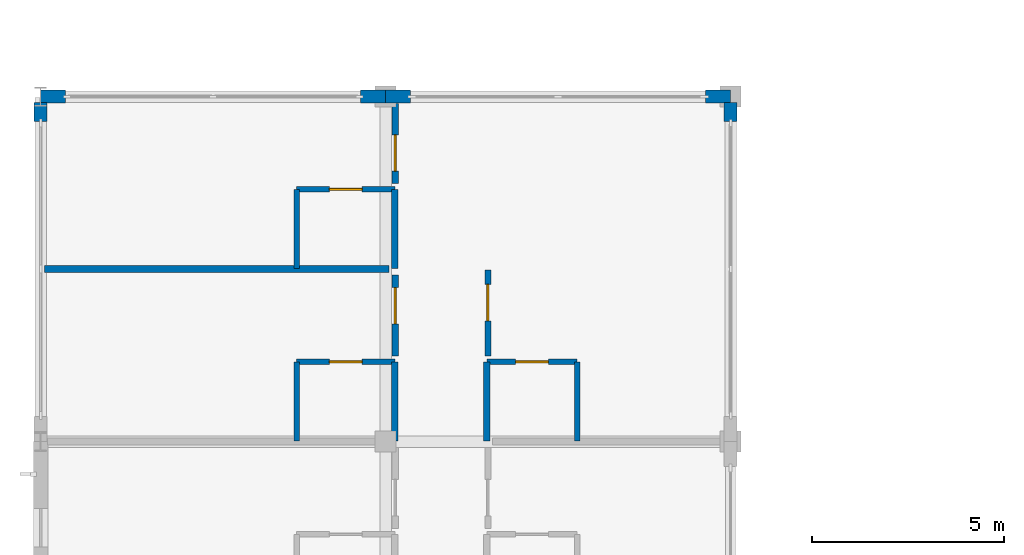
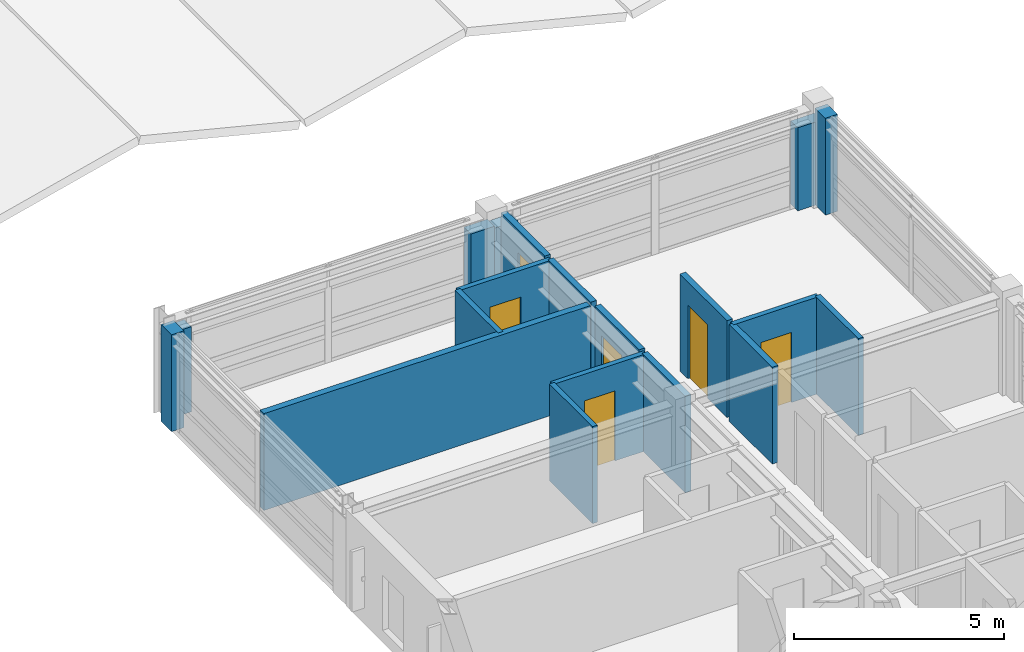
# One storey, part 25 of 37: 19 walls, 6 doors, 6 openings.
"""IFC4 building model written with IfcOpenShell, lengths in metres."""

from ifc_helpers import new_model, si_unit, direction, frame, frame_2d, origin, place, context, subcontext, project, spatial, rectangle, extrude, material, layer, layer_set, type_object, element, fill, save


model = new_model("IFC4")

# Units and contexts
model_context = context("Model", 3, precision=1e-05, world=origin(), true_north=direction((0.0, 1.0)))
body_context = subcontext(model_context, "Body", "Model", "MODEL_VIEW")
ifc_project = project(units=[si_unit("LENGTHUNIT", "METRE"), si_unit("AREAUNIT", "SQUARE_METRE"), si_unit("VOLUMEUNIT", "CUBIC_METRE"), si_unit("PLANEANGLEUNIT", "RADIAN"), si_unit("MASSUNIT", "GRAM", prefix="KILO")], contexts=[model_context])

# Site, building, storey
site_placement = place(None, origin())
site = spatial("IfcSite", under=ifc_project, at=site_placement, CompositionType="ELEMENT")
building_placement = place(site_placement, origin())
building = spatial("IfcBuilding", under=site, at=building_placement, Name="Palais des Congres Ocreval", CompositionType="ELEMENT")
storey_placement = place(building_placement, frame((0.0, 0.0, 11.52001953125)))
storey = spatial("IfcBuildingStorey", under=building, at=storey_placement, Name="L03", CompositionType="ELEMENT", Elevation=11.52001953125)

# Wall, opening, door
ifc_material_1 = material(Name="Moisture-resistant gypsum board")
ifc_layer_1 = layer(ifc_material_1, 0.139892578125)
ifc_layer_set_1 = layer_set([ifc_layer_1], Name="Bathroom Plumbing Chase Wall 140 Gypsum (Moisture-resistant gypsum board)")
wall_type_1 = type_object("IfcWallType", Name="Bathroom Plumbing Chase Wall 140 Gypsum", PredefinedType="PLUMBINGWALL", material=ifc_layer_set_1)
wall_1_placement = place(storey_placement, frame((6.679931640625, 65.080078125, 0.0), z_axis=(0.0, 0.0, 1.0), x_axis=(1.0, 0.0, 0.0)))
wall_1 = element("IfcWall", 1, at=wall_1_placement, inside=storey, type_object=wall_type_1, Name="Bathroom Plumbing Wall PW03 L03", PredefinedType="PLUMBINGWALL", context=body_context, shape_type="SweptSolid", body=[
    extrude(rectangle(XDim=2.56005859375, YDim=0.139892578125, at=frame_2d((1.280029296875, 0.0))), origin(), (0.0, 0.0, 1.0), 2.820068359375),
])
opening_1_placement = place(wall_1_placement, frame((0.85498046875, 0.0, 0.0)))
opening_1 = element("IfcOpeningElement", 2, at=opening_1_placement, cuts=wall_1, Name="Opening D08", PredefinedType="OPENING", context=body_context, shape_type="SweptSolid", body=[
    extrude(rectangle(XDim=0.85009765625, YDim=2.0400390625, at=frame_2d((0.425048828125, 1.02001953125))), frame((0.0, 0.079833984375, 0.0), z_axis=(0.0, -1.0, 0.0), x_axis=(1.0, 0.0, 0.0)), (0.0, 0.0, 1.0), 0.159912109375),
])
ifc_material_2 = material(Name="Solid French oak", Category="wood")
door_type_1 = type_object("IfcDoorType", Name="En-Suite Bathroom Door 850x2040", OperationType="NOTDEFINED", PredefinedType="DOOR", material=ifc_material_2)
door_1_placement = place(opening_1_placement, origin())
door_1 = element("IfcDoor", 3, at=door_1_placement, inside=storey, type_object=door_type_1, Name="En-Suite Bathroom Door D08 L03", OperationType="SINGLE_SWING_LEFT", OverallHeight=2.0400390625, OverallWidth=0.85009765625, PredefinedType="DOOR", context=body_context, shape_type="SweptSolid", body=[
    extrude(rectangle(XDim=0.85009765625, YDim=2.0400390625, at=frame_2d((0.425048828125, 1.02001953125))), frame((0.0, 0.02490234375, 0.0), z_axis=(0.0, -1.0, 0.0), x_axis=(1.0, 0.0, 0.0)), (0.0, 0.0, 1.0), 0.050048828125),
])
fill(opening_1, door_1)

# Wall
wall_2_placement = place(storey_placement, frame((6.679931640625, 63.02001953125, 0.0), z_axis=(0.0, 0.0, 1.0), x_axis=(0.0, 1.0, 0.0)))
element("IfcWall", 4, at=wall_2_placement, inside=storey, type_object=wall_type_1, Name="Bathroom Plumbing Wall PW03 L03", PredefinedType="PLUMBINGWALL", context=body_context, shape_type="SweptSolid", body=[
    extrude(rectangle(XDim=2.06005859375, YDim=0.139892578125, at=frame_2d((1.030029296875, 0.0))), origin(), (0.0, 0.0, 1.0), 2.820068359375),
])

# Wall, opening, door
wall_3_placement = place(storey_placement, frame((6.679931640625, 69.580078125, 0.0), z_axis=(0.0, 0.0, 1.0), x_axis=(1.0, 0.0, 0.0)))
wall_3 = element("IfcWall", 5, at=wall_3_placement, inside=storey, type_object=wall_type_1, Name="Bathroom Plumbing Wall PW03 L03", PredefinedType="PLUMBINGWALL", context=body_context, shape_type="SweptSolid", body=[
    extrude(rectangle(XDim=2.56005859375, YDim=0.139892578125, at=frame_2d((1.280029296875, 0.0))), origin(), (0.0, 0.0, 1.0), 2.820068359375),
])
opening_2_placement = place(wall_3_placement, frame((0.85498046875, 0.0, 0.0)))
opening_2 = element("IfcOpeningElement", 6, at=opening_2_placement, cuts=wall_3, Name="Opening D08", PredefinedType="OPENING", context=body_context, shape_type="SweptSolid", body=[
    extrude(rectangle(XDim=0.85009765625, YDim=2.0400390625, at=frame_2d((0.425048828125, 1.02001953125))), frame((0.0, 0.079833984375, 0.0), z_axis=(0.0, -1.0, 0.0), x_axis=(1.0, 0.0, 0.0)), (0.0, 0.0, 1.0), 0.159912109375),
])
door_2_placement = place(opening_2_placement, origin())
door_2 = element("IfcDoor", 7, at=door_2_placement, inside=storey, type_object=door_type_1, Name="En-Suite Bathroom Door D08 L03", OperationType="SINGLE_SWING_RIGHT", OverallHeight=2.0400390625, OverallWidth=0.85009765625, PredefinedType="DOOR", context=body_context, shape_type="SweptSolid", body=[
    extrude(rectangle(XDim=0.85009765625, YDim=2.0400390625, at=frame_2d((0.425048828125, 1.02001953125))), frame((0.0, 0.02490234375, 0.0), z_axis=(0.0, -1.0, 0.0), x_axis=(1.0, 0.0, 0.0)), (0.0, 0.0, 1.0), 0.050048828125),
])
fill(opening_2, door_2)

# Wall
wall_4_placement = place(storey_placement, frame((6.679931640625, 67.52001953125, 0.0), z_axis=(0.0, 0.0, 1.0), x_axis=(0.0, 1.0, 0.0)))
element("IfcWall", 8, at=wall_4_placement, inside=storey, type_object=wall_type_1, Name="Bathroom Plumbing Wall PW03 L03", PredefinedType="PLUMBINGWALL", context=body_context, shape_type="SweptSolid", body=[
    extrude(rectangle(XDim=2.06005859375, YDim=0.139892578125, at=frame_2d((1.030029296875, 0.0))), origin(), (0.0, 0.0, 1.0), 2.820068359375),
])

# Wall, opening, door
wall_5_placement = place(storey_placement, frame((11.639892578125, 65.080078125, 0.0), z_axis=(0.0, 0.0, 1.0), x_axis=(1.0, 0.0, 0.0)))
wall_5 = element("IfcWall", 9, at=wall_5_placement, inside=storey, type_object=wall_type_1, Name="Bathroom Plumbing Wall PW03 L03", PredefinedType="PLUMBINGWALL", context=body_context, shape_type="SweptSolid", body=[
    extrude(rectangle(XDim=2.360107421875, YDim=0.139892578125, at=frame_2d((1.18017578125, 0.0))), origin(), (0.0, 0.0, 1.0), 2.820068359375),
])
opening_3_placement = place(wall_5_placement, frame((0.7548828125, 0.0, 0.0)))
opening_3 = element("IfcOpeningElement", 10, at=opening_3_placement, cuts=wall_5, Name="Opening D08", PredefinedType="OPENING", context=body_context, shape_type="SweptSolid", body=[
    extrude(rectangle(XDim=0.85009765625, YDim=2.0400390625, at=frame_2d((0.425048828125, 1.02001953125))), frame((0.0, 0.079833984375, 0.0), z_axis=(0.0, -1.0, 0.0), x_axis=(1.0, 0.0, 0.0)), (0.0, 0.0, 1.0), 0.159912109375),
])
door_3_placement = place(opening_3_placement, origin())
door_3 = element("IfcDoor", 11, at=door_3_placement, inside=storey, type_object=door_type_1, Name="En-Suite Bathroom Door D08 L03", OperationType="SINGLE_SWING_LEFT", OverallHeight=2.0400390625, OverallWidth=0.85009765625, PredefinedType="DOOR", context=body_context, shape_type="SweptSolid", body=[
    extrude(rectangle(XDim=0.85009765625, YDim=2.0400390625, at=frame_2d((0.425048828125, 1.02001953125))), frame((0.0, 0.02490234375, 0.0), z_axis=(0.0, -1.0, 0.0), x_axis=(1.0, 0.0, 0.0)), (0.0, 0.0, 1.0), 0.050048828125),
])
fill(opening_3, door_3)

# Walls
wall_6_placement = place(storey_placement, frame((14.0, 63.02001953125, 0.0), z_axis=(0.0, 0.0, 1.0), x_axis=(0.0, 1.0, 0.0)))
element("IfcWall", 12, at=wall_6_placement, inside=storey, type_object=wall_type_1, Name="Bathroom Plumbing Wall PW03 L03", PredefinedType="PLUMBINGWALL", context=body_context, shape_type="SweptSolid", body=[
    extrude(rectangle(XDim=2.06005859375, YDim=0.139892578125, at=frame_2d((1.030029296875, 0.0))), origin(), (0.0, 0.0, 1.0), 2.820068359375),
])
ifc_material_3 = material(Name="Gypsum acoustic partition")
ifc_layer_2 = layer(ifc_material_3, 0.159912109375)
ifc_layer_set_2 = layer_set([ifc_layer_2], Name="Corridor Fire Partition 160 Gypsum (Gypsum acoustic partition)")
wall_type_2 = type_object("IfcWallType", Name="Corridor Fire Partition 160 Gypsum", PredefinedType="PARTITIONING", material=ifc_layer_set_2)
for number, where, z_axis, x_axis, name in (
    (13, (9.239990234375, 63.02001953125, 0.0), (0.0, 0.0, 1.0), (0.0, 1.0, 0.0), "Corridor Partition IW03 L03"),
    (14, (9.239990234375, 67.52001953125, 0.0), (0.0, 0.0, 1.0), (0.0, 1.0, 0.0), "Corridor Partition IW03 L03"),
    (15, (11.639892578125, 63.02001953125, 0.0), (0.0, 0.0, 1.0), (0.0, 1.0, 0.0), "Corridor Partition IW03 L03"),
):
    element("IfcWall", number, at=place(storey_placement, frame(where, z_axis=z_axis, x_axis=x_axis)), inside=storey, type_object=wall_type_2, Name=name, PredefinedType="PARTITIONING", context=body_context, shape_type="SweptSolid", body=[
        extrude(rectangle(XDim=2.06005859375, YDim=0.159912109375, at=frame_2d((1.030029296875, 0.0))), origin(), (0.0, 0.0, 1.0), 2.820068359375),
    ])

# Wall, opening, door
wall_7_placement = place(storey_placement, frame((9.25, 65.235107421875, 0.0), z_axis=(0.0, 0.0, 1.0), x_axis=(0.0, 1.0, 0.0)))
wall_7 = element("IfcWall", 16, at=wall_7_placement, inside=storey, type_object=wall_type_2, Name="Interior Partition IW03 L03", PredefinedType="PARTITIONING", context=body_context, shape_type="SweptSolid", body=[
    extrude(rectangle(XDim=2.10986328125, YDim=0.159912109375, at=frame_2d((1.054931640625, 0.0))), origin(), (0.0, 0.0, 1.0), 2.820068359375),
])
opening_4_placement = place(wall_7_placement, frame((0.833251953125, 0.0, 0.0)))
opening_4 = element("IfcOpeningElement", 17, at=opening_4_placement, cuts=wall_7, Name="Opening D05", PredefinedType="OPENING", context=body_context, shape_type="SweptSolid", body=[
    extrude(rectangle(XDim=0.949951171875, YDim=2.14990234375, at=frame_2d((0.47509765625, 1.074951171875))), frame((0.0, 0.08984375, 0.0), z_axis=(0.0, -1.0, 0.0), x_axis=(1.0, 0.0, 0.0)), (0.0, 0.0, 1.0), 0.179931640625),
])
door_type_2 = type_object("IfcDoorType", Name="Hotel Guestroom Entrance Door 950x2150", OperationType="NOTDEFINED", PredefinedType="DOOR", material=ifc_material_2)
door_4_placement = place(opening_4_placement, origin())
door_4 = element("IfcDoor", 18, at=door_4_placement, inside=storey, type_object=door_type_2, Name="Interior Door D05 L03", OperationType="SINGLE_SWING_LEFT", OverallHeight=2.14990234375, OverallWidth=0.949951171875, PredefinedType="DOOR", context=body_context, shape_type="SweptSolid", body=[
    extrude(rectangle(XDim=0.949951171875, YDim=2.14990234375, at=frame_2d((0.47509765625, 1.074951171875))), frame((0.0, 0.02490234375, 0.0), z_axis=(0.0, -1.0, 0.0), x_axis=(1.0, 0.0, 0.0)), (0.0, 0.0, 1.0), 0.050048828125),
])
fill(opening_4, door_4)

wall_8_placement = place(storey_placement, frame((9.25, 69.735107421875, 0.0), z_axis=(0.0, 0.0, 1.0), x_axis=(0.0, 1.0, 0.0)))
wall_8 = element("IfcWall", 19, at=wall_8_placement, inside=storey, type_object=wall_type_2, Name="Interior Partition IW03 L03", PredefinedType="PARTITIONING", context=body_context, shape_type="SweptSolid", body=[
    extrude(rectangle(XDim=2.08984375, YDim=0.159912109375, at=frame_2d((1.044921875, 0.0))), origin(), (0.0, 0.0, 1.0), 2.820068359375),
])
opening_5_placement = place(wall_8_placement, frame((0.319091796875, 0.0, 0.0)))
opening_5 = element("IfcOpeningElement", 20, at=opening_5_placement, cuts=wall_8, Name="Opening D05", PredefinedType="OPENING", context=body_context, shape_type="SweptSolid", body=[
    extrude(rectangle(XDim=0.949951171875, YDim=2.14990234375, at=frame_2d((0.47509765625, 1.074951171875))), frame((0.0, 0.08984375, 0.0), z_axis=(0.0, -1.0, 0.0), x_axis=(1.0, 0.0, 0.0)), (0.0, 0.0, 1.0), 0.179931640625),
])
door_5_placement = place(opening_5_placement, origin())
door_5 = element("IfcDoor", 21, at=door_5_placement, inside=storey, type_object=door_type_2, Name="Interior Door D05 L03", OperationType="SINGLE_SWING_RIGHT", OverallHeight=2.14990234375, OverallWidth=0.949951171875, PredefinedType="DOOR", context=body_context, shape_type="SweptSolid", body=[
    extrude(rectangle(XDim=0.949951171875, YDim=2.14990234375, at=frame_2d((0.47509765625, 1.074951171875))), frame((0.0, 0.02490234375, 0.0), z_axis=(0.0, -1.0, 0.0), x_axis=(1.0, 0.0, 0.0)), (0.0, 0.0, 1.0), 0.050048828125),
])
fill(opening_5, door_5)

wall_9_placement = place(storey_placement, frame((11.669921875, 65.235107421875, 0.0), z_axis=(0.0, 0.0, 1.0), x_axis=(0.0, 1.0, 0.0)))
wall_9 = element("IfcWall", 22, at=wall_9_placement, inside=storey, type_object=wall_type_2, Name="Interior Partition IW03 L03", PredefinedType="PARTITIONING", context=body_context, shape_type="SweptSolid", body=[
    extrude(rectangle(XDim=2.244873046875, YDim=0.159912109375, at=frame_2d((1.12255859375, 0.0))), origin(), (0.0, 0.0, 1.0), 2.820068359375),
])
opening_6_placement = place(wall_9_placement, frame((0.9169921875, 0.0, 0.0)))
opening_6 = element("IfcOpeningElement", 23, at=opening_6_placement, cuts=wall_9, Name="Opening D05", PredefinedType="OPENING", context=body_context, shape_type="SweptSolid", body=[
    extrude(rectangle(XDim=0.949951171875, YDim=2.14990234375, at=frame_2d((0.47509765625, 1.074951171875))), frame((0.0, 0.08984375, 0.0), z_axis=(0.0, -1.0, 0.0), x_axis=(1.0, 0.0, 0.0)), (0.0, 0.0, 1.0), 0.179931640625),
])
door_6_placement = place(opening_6_placement, origin())
door_6 = element("IfcDoor", 24, at=door_6_placement, inside=storey, type_object=door_type_2, Name="Interior Door D05 L03", OperationType="SINGLE_SWING_LEFT", OverallHeight=2.14990234375, OverallWidth=0.949951171875, PredefinedType="DOOR", context=body_context, shape_type="SweptSolid", body=[
    extrude(rectangle(XDim=0.949951171875, YDim=2.14990234375, at=frame_2d((0.47509765625, 1.074951171875))), frame((0.0, 0.02490234375, 0.0), z_axis=(0.0, -1.0, 0.0), x_axis=(1.0, 0.0, 0.0)), (0.0, 0.0, 1.0), 0.050048828125),
])
fill(opening_6, door_6)

# Walls
ifc_layer_3 = layer(ifc_material_3, 0.179931640625)
ifc_layer_set_3 = layer_set([ifc_layer_3], Name="Hotel Inter-Room Acoustic Partition 180 Gypsum (Gypsum acoustic partition)")
wall_type_3 = type_object("IfcWallType", Name="Hotel Inter-Room Acoustic Partition 180 Gypsum", PredefinedType="PARTITIONING", material=ifc_layer_set_3)
wall_10_placement = place(storey_placement, frame((0.094970703125, 67.5, 0.0), z_axis=(0.0, 0.0, 1.0), x_axis=(1.0, 0.0, 0.0)))
element("IfcWall", 25, at=wall_10_placement, inside=storey, type_object=wall_type_3, Name="Hotel Party Partition IW02 L03", PredefinedType="PARTITIONING", context=body_context, shape_type="SweptSolid", body=[
    extrude(rectangle(XDim=8.989990234375, YDim=0.179931640625, at=frame_2d((4.4951171875, 0.0))), origin(), (0.0, 0.0, 1.0), 2.820068359375),
])
ifc_material_4 = material(Name="Concrete C40/50", Category="concrete")
ifc_layer_4 = layer(ifc_material_4, 0.340087890625)
ifc_layer_set_4 = layer_set([ifc_layer_4], Name="Ochre Mineral-Lime Courtyard Wall 340 Concrete C40/50")
wall_type_4 = type_object("IfcWallType", Name="Ochre Mineral-Lime Courtyard Wall 340 Concrete C40/50", PredefinedType="SOLIDWALL", material=ifc_layer_set_4)
wall_11_placement = place(storey_placement, frame((0.0, 71.35009765625, 0.0), z_axis=(0.0, 0.0, 1.0), x_axis=(0.0, 1.0, 0.0)))
element("IfcWall", 26, at=wall_11_placement, inside=storey, type_object=wall_type_4, Name="Facade Pier EW04 L03", PredefinedType="SOLIDWALL", context=body_context, shape_type="SweptSolid", body=[
    extrude(rectangle(XDim=0.494873046875, YDim=0.340087890625, at=frame_2d((0.24755859375, 0.0))), origin(), (0.0, 0.0, 1.0), 2.820068359375),
])
for number, where, z_axis, x_axis, name in (
    (27, (0.0, 72.0, 0.0), (0.0, 0.0, 1.0), (1.0, 0.0, 0.0), "Facade Pier EW04 L03"),
    (28, (8.35009765625, 72.0, 0.0), (0.0, 0.0, 1.0), (1.0, 0.0, 0.0), "Facade Pier EW04 L03"),
):
    element("IfcWall", number, at=place(storey_placement, frame(where, z_axis=z_axis, x_axis=x_axis)), inside=storey, type_object=wall_type_4, Name=name, PredefinedType="SOLIDWALL", context=body_context, shape_type="SweptSolid", body=[
        extrude(rectangle(XDim=0.64990234375, YDim=0.340087890625, at=frame_2d((0.324951171875, 0.0))), origin(), (0.0, 0.0, 1.0), 2.47998046875),
    ])
for number, where, z_axis, x_axis, name in (
    (29, (9.0, 72.0, 0.0), (0.0, 0.0, 1.0), (1.0, 0.0, 0.0), "Facade Pier EW04 L03"),
    (30, (17.35009765625, 72.0, 0.0), (0.0, 0.0, 1.0), (1.0, 0.0, 0.0), "Facade Pier EW04 L03"),
):
    element("IfcWall", number, at=place(storey_placement, frame(where, z_axis=z_axis, x_axis=x_axis)), inside=storey, type_object=wall_type_4, Name=name, PredefinedType="SOLIDWALL", context=body_context, shape_type="SweptSolid", body=[
        extrude(rectangle(XDim=0.64990234375, YDim=0.340087890625, at=frame_2d((0.324951171875, 0.0))), origin(), (0.0, 0.0, 1.0), 2.419921875),
    ])
wall_12_placement = place(storey_placement, frame((18.0, 71.844970703125, 0.0), z_axis=(0.0, 0.0, 1.0), x_axis=(0.0, -1.0, 0.0)))
element("IfcWall", 31, at=wall_12_placement, inside=storey, type_object=wall_type_4, Name="Facade Pier EW04 L03", PredefinedType="SOLIDWALL", context=body_context, shape_type="SweptSolid", body=[
    extrude(rectangle(XDim=0.494873046875, YDim=0.340087890625, at=frame_2d((0.24755859375, 0.0))), origin(), (0.0, 0.0, 1.0), 2.820068359375),
])

save(model, "model.ifc")
